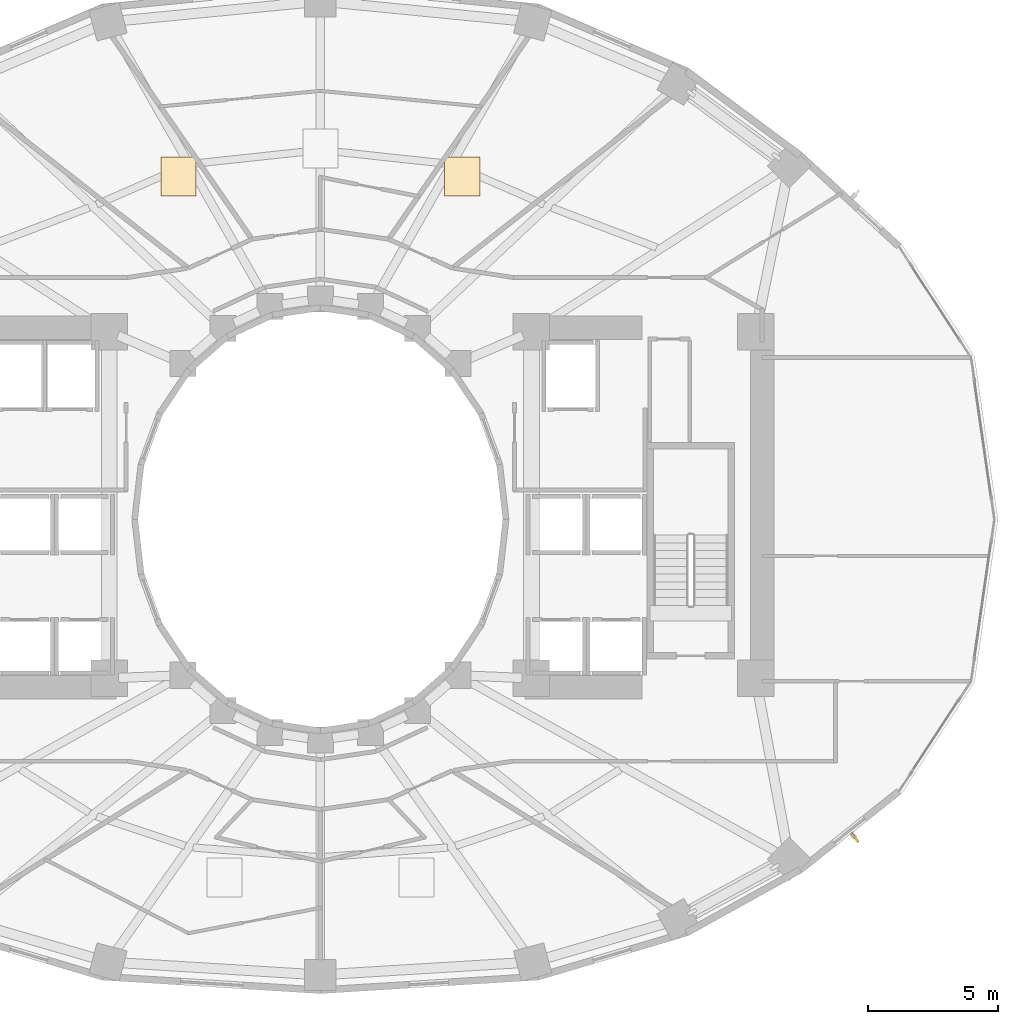
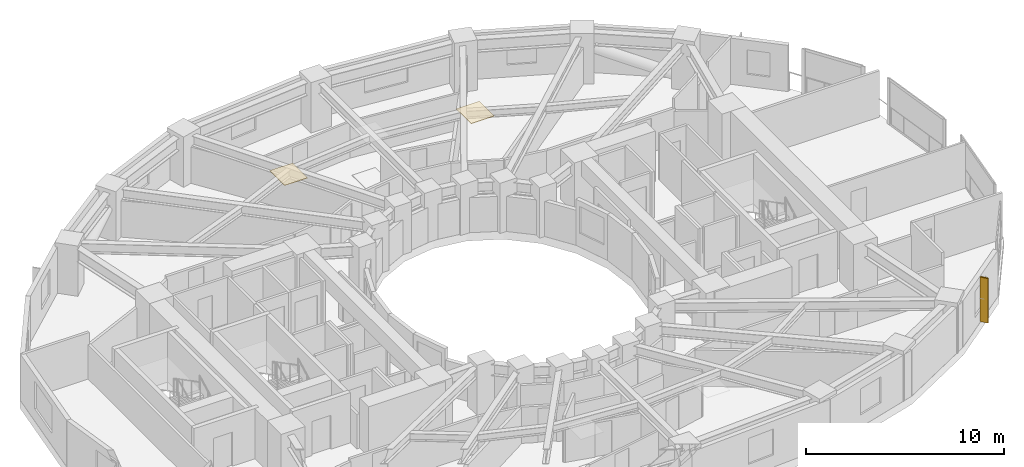
# One storey, part 13 of 14: 2 coverings, 1 shading device.
"""IFC4 building model written with IfcOpenShell, lengths in metres."""

from ifc_helpers import new_model, si_unit, direction, frame, origin, origin_2d, place, context, subcontext, project, spatial, polyline, rectangle, outline, extrude, material, layer, layer_set, type_object, element, save


model = new_model("IFC4")

# Units and contexts
model_context = context("Model", 3, precision=1e-05, world=origin(), true_north=direction((0.0, 1.0)))
body_context = subcontext(model_context, "Body", "Model", "MODEL_VIEW")
ifc_project = project(units=[si_unit("LENGTHUNIT", "METRE"), si_unit("AREAUNIT", "SQUARE_METRE"), si_unit("VOLUMEUNIT", "CUBIC_METRE"), si_unit("PLANEANGLEUNIT", "RADIAN"), si_unit("MASSUNIT", "GRAM", prefix="KILO")], contexts=[model_context])

# Site, building, storey
site_placement = place(None, origin())
site = spatial("IfcSite", under=ifc_project, at=site_placement, CompositionType="ELEMENT")
building_placement = place(site_placement, origin())
building = spatial("IfcBuilding", under=site, at=building_placement, Name="Solvane Sanctuary Tower", CompositionType="ELEMENT")
storey_placement = place(building_placement, frame((0.0, 0.0, 36.89990234375)))
storey = spatial("IfcBuildingStorey", under=building, at=storey_placement, Name="L10", CompositionType="ELEMENT", Elevation=36.89990234375)

# Coverings
ifc_material_1 = material(Name="Acoustic Gypsum Partition Board")
ifc_layer_1 = layer(ifc_material_1, 0.02490234375, Name="Acoustic Gypsum Partition Board")
ifc_layer_set_1 = layer_set([ifc_layer_1], Name="Acoustic Gypsum Partition Board")
covering_type = type_object("IfcCoveringType", Name="Covering CLG-ACOUST", PredefinedType="CEILING", material=ifc_layer_set_1)
covering_1_placement = place(storey_placement, frame((0.0, 0.0, 2.85009765625)))
element("IfcCovering", 1, at=covering_1_placement, inside=storey, type_object=covering_type, Name="L10 Unit Acoustic Ceiling Panel 1", PredefinedType="CEILING", context=body_context, shape_type="SweptSolid", body=[
    extrude(outline(polyline([(36.77099609375, 35.39697265625), (38.12109375, 35.39697265625), (38.12109375, 36.89697265625), (36.77099609375, 36.89697265625), (36.77099609375, 35.39697265625)])), origin(), (0.0, 0.0, 1.0), 0.030029296875),
])
covering_2_placement = place(storey_placement, frame((0.0, 0.0, 2.85009765625)))
element("IfcCovering", 2, at=covering_2_placement, inside=storey, type_object=covering_type, Name="L10 Unit Acoustic Ceiling Panel 3", PredefinedType="CEILING", context=body_context, shape_type="SweptSolid", body=[
    extrude(outline(polyline([(25.87890625, 35.39697265625), (27.22900390625, 35.39697265625), (27.22900390625, 36.89697265625), (25.87890625, 36.89697265625), (25.87890625, 35.39697265625)])), origin(), (0.0, 0.0, 1.0), 0.030029296875),
])

# Shading device
ifc_material_2 = material(Name="Anodised Aluminium 6063-T6", Category="aluminium")
ifc_layer_2 = layer(ifc_material_2, 0.080078125, Name="Anodised Aluminium 6063-T6")
ifc_layer_set_2 = layer_set([ifc_layer_2], Name="Anodised Aluminium 6063-T6")
shading_device_type = type_object("IfcShadingDeviceType", Name="Shading SHD-FIN", PredefinedType="USERDEFINED", material=ifc_layer_set_2)
shading_device_placement = place(storey_placement, frame((52.510498046875, 10.788330078125, 0.050048828125), z_axis=(0.0, 0.0, 1.0), x_axis=(0.783135910849, 0.62185058104, 0.0)))
element("IfcShadingDevice", 3, at=shading_device_placement, inside=storey, type_object=shading_device_type, Name="L10 Aerodynamic Vertical Fin 21", ObjectType="FIN", PredefinedType="USERDEFINED", context=body_context, shape_type="SweptSolid", body=[
    extrude(rectangle(XDim=0.080078125, YDim=0.449951171875, at=origin_2d()), origin(), (0.0, 0.0, 1.0), 2.75),
])

save(model, "model.ifc")
